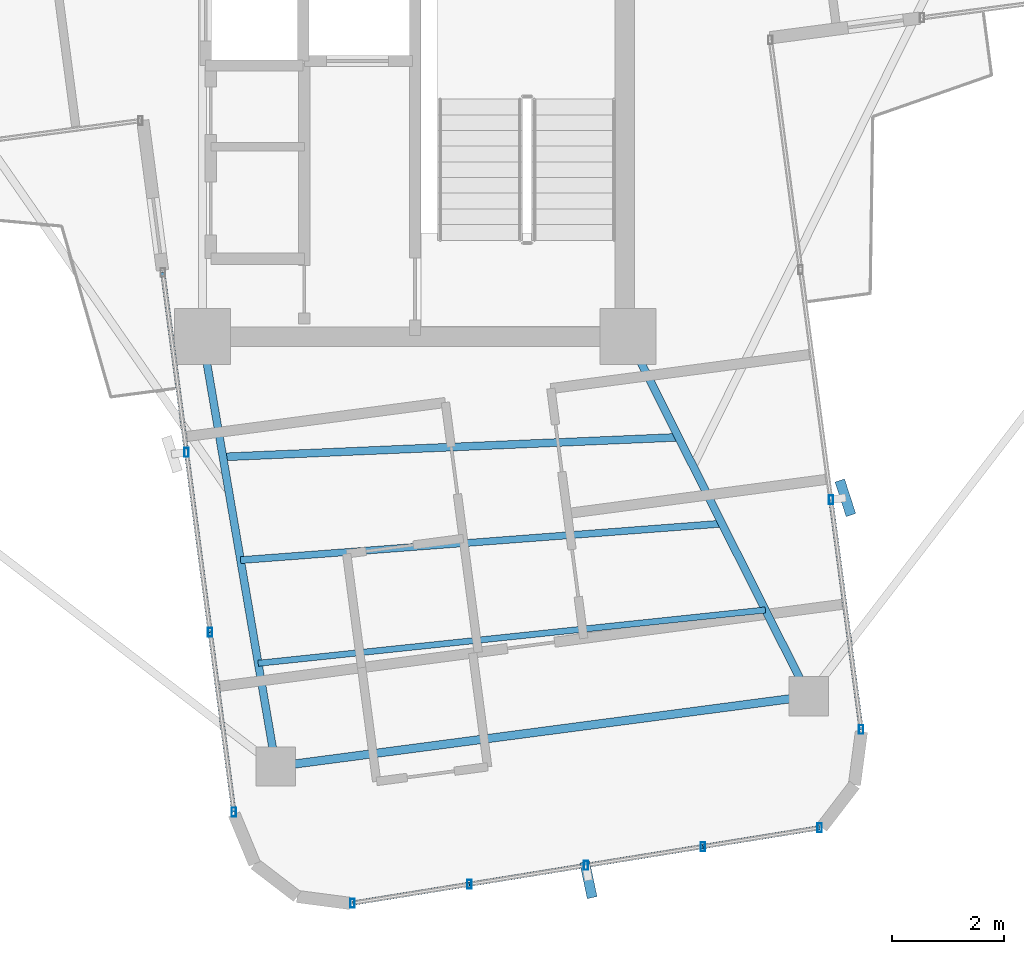
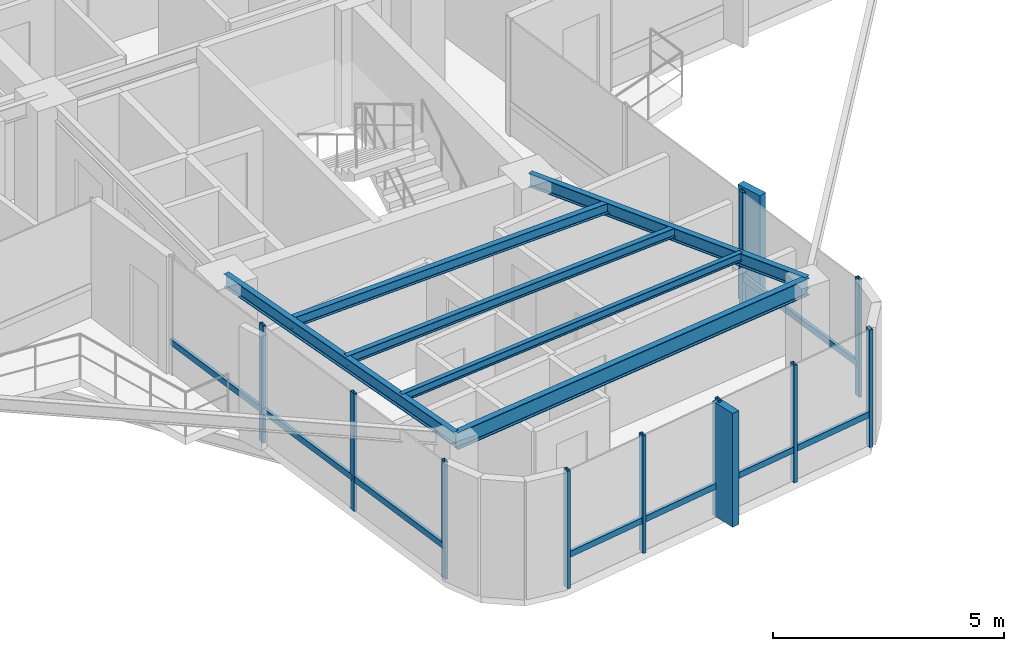
# One storey, part 4 of 21: 20 members, 6 beams, 3 elements without a shape of their own.
"""IFC4 building model written with IfcOpenShell, lengths in metres."""

from ifc_helpers import new_model, si_unit, direction, frame, origin, origin_2d, place, context, subcontext, project, spatial, rectangle, hollow_rectangle, i_section, extrude, source, transform, mapped, material, material_profile, profile_set, type_object, element, aggregate, save


model = new_model("IFC4")

# Units and contexts
model_context = context("Model", 3, precision=1e-05, world=origin(), true_north=direction((0.0, 1.0)))
body_context = subcontext(model_context, "Body", "Model", "MODEL_VIEW")
ifc_project = project(units=[si_unit("LENGTHUNIT", "METRE"), si_unit("AREAUNIT", "SQUARE_METRE"), si_unit("VOLUMEUNIT", "CUBIC_METRE"), si_unit("PLANEANGLEUNIT", "RADIAN"), si_unit("MASSUNIT", "GRAM", prefix="KILO")], contexts=[model_context])

# Site, building, storey
site_placement = place(None, origin())
site = spatial("IfcSite", under=ifc_project, at=site_placement, CompositionType="ELEMENT")
building_placement = place(site_placement, origin())
building = spatial("IfcBuilding", under=site, at=building_placement, Name="Sahyath Konkavel Grand Hotel", CompositionType="ELEMENT")
storey_placement = place(building_placement, frame((0.0, 0.0, 213.199951171875)))
storey = spatial("IfcBuildingStorey", under=building, at=storey_placement, Name="L59", CompositionType="ELEMENT", Elevation=213.199951171875)

# Beams
ifc_material_1 = material(Name="Steel E350", Category="steel")
ifc_material_profile_1 = material_profile(ifc_material_1, i_section(OverallWidth=0.139892578125, OverallDepth=0.35009765625, WebThickness=0.008056640625, FlangeThickness=0.01416015625, FilletRadius=0.013916015625, at=origin_2d()), Name="ISMB 350")
ifc_profile_set_1 = profile_set([ifc_material_profile_1], Name="Steel E350")
beam_type_1 = type_object("IfcBeamType", Name="BM-ISMB350", PredefinedType="BEAM", material=ifc_profile_set_1)
shared_shape_1 = source(origin(), body_context, "Body", "SweptSolid", [
    extrude(i_section(OverallWidth=0.139892578125, OverallDepth=0.35009765625, WebThickness=0.008056640625, FlangeThickness=0.01416015625, FilletRadius=0.013916015625, at=origin_2d()), origin(), (0.0, 0.0, 1.0), 7.7890625),
])
beam_1_placement = place(storey_placement, frame((-3.800048828125, -10.199951171875, 2.93505859375), z_axis=(0.168473997649, -0.985706098244, 0.0), x_axis=(0.985706098244, 0.168473997649, 0.0)))
element("IfcBeam", 1, at=beam_1_placement, inside=storey, type_object=beam_type_1, Name="L59 Cruciform Radial Girder SA", PredefinedType="BEAM", context=body_context, shape_type="MappedRepresentation", body=[
    mapped(shared_shape_1, transform((0.0, 0.0, 0.0), scale=1.0)),
])
shared_shape_2 = source(origin(), body_context, "Body", "SweptSolid", [
    extrude(i_section(OverallWidth=0.139892578125, OverallDepth=0.35009765625, WebThickness=0.008056640625, FlangeThickness=0.01416015625, FilletRadius=0.013916015625, at=origin_2d()), origin(), (0.0, 0.0, 1.0), 7.19091796875),
])
beam_2_placement = place(storey_placement, frame((3.800048828125, -10.199951171875, 2.93505859375), z_axis=(0.4491817134, -0.893440422383, 0.0), x_axis=(0.893440422383, 0.4491817134, 0.0)))
element("IfcBeam", 2, at=beam_2_placement, inside=storey, type_object=beam_type_1, Name="L59 Cruciform Radial Girder SB", PredefinedType="BEAM", context=body_context, shape_type="MappedRepresentation", body=[
    mapped(shared_shape_2, transform((0.0, 0.0, 0.0), scale=1.0)),
])
ifc_material_profile_2 = material_profile(ifc_material_1, i_section(OverallWidth=0.14990234375, OverallDepth=0.449951171875, WebThickness=0.009521484375, FlangeThickness=0.017333984375, FilletRadius=0.014892578125, at=origin_2d()), Name="ISMB 450")
ifc_profile_set_2 = profile_set([ifc_material_profile_2], Name="Steel E350")
beam_type_2 = type_object("IfcBeamType", Name="BM-ISMB450", PredefinedType="BEAM", material=ifc_profile_set_2)
shared_shape_3 = source(origin(), body_context, "Body", "SweptSolid", [
    extrude(i_section(OverallWidth=0.14990234375, OverallDepth=0.449951171875, WebThickness=0.009521484375, FlangeThickness=0.017333984375, FilletRadius=0.014892578125, at=origin_2d()), origin(), (0.0, 0.0, 1.0), 9.599853515625),
])
beam_3_placement = place(storey_placement, frame((-2.48779296875, -17.877685546875, 2.885009765625), z_axis=(0.991443125639, 0.130539375757, 0.0), x_axis=(-0.130539375757, 0.991443125639, 0.0)))
element("IfcBeam", 3, at=beam_3_placement, inside=storey, type_object=beam_type_2, Name="L59 Wing Tip Edge Beam S", PredefinedType="BEAM", context=body_context, shape_type="MappedRepresentation", body=[
    mapped(shared_shape_3, transform((0.0, 0.0, 0.0), scale=1.0)),
])
ifc_material_profile_3 = material_profile(ifc_material_1, i_section(OverallWidth=0.139892578125, OverallDepth=0.27490234375, WebThickness=0.00634765625, FlangeThickness=0.0087890625, FilletRadius=0.012939453125, at=origin_2d()), Name="ISLB 275")
ifc_profile_set_3 = profile_set([ifc_material_profile_3], Name="Steel E350")
beam_type_3 = type_object("IfcBeamType", Name="BM-ISLB275", PredefinedType="BEAM", material=ifc_profile_set_3)
shared_shape_4 = source(origin(), body_context, "Body", "SweptSolid", [
    extrude(i_section(OverallWidth=0.139892578125, OverallDepth=0.27490234375, WebThickness=0.00634765625, FlangeThickness=0.0087890625, FilletRadius=0.012939453125, at=origin_2d()), origin(), (0.0, 0.0, 1.0), 8.14453125),
])
beam_4_placement = place(storey_placement, frame((-3.4326171875, -12.349853515625, 2.97265625), z_axis=(0.999070525707, 0.043105506195, 0.0), x_axis=(-0.043105506195, 0.999070525707, 0.0)))
element("IfcBeam", 4, at=beam_4_placement, inside=storey, type_object=beam_type_3, Name="L59 Secondary Floor Beam S-1", PredefinedType="BEAM", context=body_context, shape_type="MappedRepresentation", body=[
    mapped(shared_shape_4, transform((0.0, 0.0, 0.0), scale=1.0)),
])
ifc_material_profile_4 = material_profile(ifc_material_1, i_section(OverallWidth=0.125, OverallDepth=0.25, WebThickness=0.0068359375, FlangeThickness=0.012451171875, FilletRadius=0.012939453125, at=origin_2d()), Name="ISMB 250")
ifc_profile_set_4 = profile_set([ifc_material_profile_4], Name="Steel E350")
beam_type_4 = type_object("IfcBeamType", Name="BM-ISMB250", PredefinedType="BEAM", material=ifc_profile_set_4)
shared_shape_5 = source(origin(), body_context, "Body", "SweptSolid", [
    extrude(i_section(OverallWidth=0.125, OverallDepth=0.25, WebThickness=0.0068359375, FlangeThickness=0.012451171875, FilletRadius=0.012939453125, at=origin_2d()), origin(), (0.0, 0.0, 1.0), 8.6220703125),
])
beam_5_placement = place(storey_placement, frame((-3.11767578125, -14.1923828125, 2.985107421875), z_axis=(0.997140134449, 0.075574812405, 0.0), x_axis=(-0.075574812405, 0.997140134449, 0.0)))
element("IfcBeam", 5, at=beam_5_placement, inside=storey, type_object=beam_type_4, Name="L59 Secondary Floor Beam S-2", PredefinedType="BEAM", context=body_context, shape_type="MappedRepresentation", body=[
    mapped(shared_shape_5, transform((0.0, 0.0, 0.0), scale=1.0)),
])
ifc_material_profile_5 = material_profile(ifc_material_1, i_section(OverallWidth=0.110107421875, OverallDepth=0.22509765625, WebThickness=0.006591796875, FlangeThickness=0.01171875, FilletRadius=0.011962890625, at=origin_2d()), Name="ISMB 225")
ifc_profile_set_5 = profile_set([ifc_material_profile_5], Name="Steel E350")
beam_type_5 = type_object("IfcBeamType", Name="BM-ISMB225", PredefinedType="BEAM", material=ifc_profile_set_5)
shared_shape_6 = source(origin(), body_context, "Body", "SweptSolid", [
    extrude(i_section(OverallWidth=0.110107421875, OverallDepth=0.22509765625, WebThickness=0.006591796875, FlangeThickness=0.01171875, FilletRadius=0.011962890625, at=origin_2d()), origin(), (0.0, 0.0, 1.0), 9.107666015625),
])
beam_6_placement = place(storey_placement, frame((-2.802734375, -16.03515625, 2.99755859375), z_axis=(0.994517344132, 0.10457175632, 0.0), x_axis=(-0.10457175632, 0.994517344132, 0.0)))
element("IfcBeam", 6, at=beam_6_placement, inside=storey, type_object=beam_type_5, Name="L59 Secondary Floor Beam S-3", PredefinedType="BEAM", context=body_context, shape_type="MappedRepresentation", body=[
    mapped(shared_shape_6, transform((0.0, 0.0, 0.0), scale=1.0)),
])

# Curtain wall, member
ifc_material_2 = material(Name="Anodised Bronze Aluminium & Low-E Glazing", Category="aluminium")
curtain_wall_type = type_object("IfcCurtainWallType", Name="CW-ZONE4", PredefinedType="NOTDEFINED", material=ifc_material_2)
curtain_wall_1_placement = place(storey_placement, origin())
curtain_wall_1 = element("IfcCurtainWall", 7, at=curtain_wall_1_placement, inside=storey, type_object=curtain_wall_type, Name="L59 Unitised Curtain Wall F28", PredefinedType="NOTDEFINED")
ifc_material_3 = material(Name="Warm Buff Sandstone Cladding on Concrete C50/60", Category="masonry")
ifc_material_profile_6 = material_profile(ifc_material_3, rectangle(XDim=0.179931640625, YDim=0.64990234375, at=origin_2d()), Name="FIN 180x650")
ifc_profile_set_6 = profile_set([ifc_material_profile_6], Name="Warm Buff Sandstone Cladding on Concrete C50/60")
member_type_1 = type_object("IfcMemberType", Name="FIN-SANDSTONE-650", PredefinedType="MULLION", material=ifc_profile_set_6)
shared_shape_7 = source(origin(), body_context, "Body", "SweptSolid", [
    extrude(rectangle(XDim=0.179931640625, YDim=0.64990234375, at=origin_2d()), origin(), (0.0, 0.0, 1.0), 3.010009765625),
])
member_1_placement = place(storey_placement, frame((3.09423828125, -19.90234375, 0.050048828125), z_axis=(0.0, 0.0, 1.0), x_axis=(0.978508985102, 0.206204185397, 0.0)))
member_1 = element("IfcMember", 8, at=member_1_placement, type_object=member_type_1, Name="L59 Sandstone Vertical Solar Fin FIN F28-2", PredefinedType="MULLION", context=body_context, shape_type="MappedRepresentation", body=[
    mapped(shared_shape_7, transform((0.0, 0.0, 0.0), scale=1.0)),
])

curtain_wall_2_placement = place(storey_placement, origin())
curtain_wall_2 = element("IfcCurtainWall", 9, at=curtain_wall_2_placement, inside=storey, type_object=curtain_wall_type, Name="L59 Unitised Curtain Wall F31", PredefinedType="NOTDEFINED")
member_2_placement = place(storey_placement, frame((7.682861328125, -13.0791015625, 0.050048828125), z_axis=(0.0, 0.0, 1.0), x_axis=(0.951272019071, 0.30835295642, 0.0)))
member_2 = element("IfcMember", 10, at=member_2_placement, type_object=member_type_1, Name="L59 Sandstone Vertical Solar Fin FIN F31-1", PredefinedType="MULLION", context=body_context, shape_type="MappedRepresentation", body=[
    mapped(shared_shape_7, transform((0.0, 0.0, 0.0), scale=1.0)),
])

# Curtain wall, members
curtain_wall_3_placement = place(storey_placement, origin())
curtain_wall_3 = element("IfcCurtainWall", 11, at=curtain_wall_3_placement, inside=storey, type_object=curtain_wall_type, Name="L59 Unitised Curtain Wall F24", PredefinedType="NOTDEFINED")
ifc_material_4 = material(Name="Anodised Bronze Aluminium", Category="aluminium")
ifc_material_profile_7 = material_profile(ifc_material_4, hollow_rectangle(XDim=0.080078125, YDim=0.159912109375, WallThickness=0.006103515625, at=origin_2d()), Name="RHS 160x80x6")
ifc_profile_set_7 = profile_set([ifc_material_profile_7], Name="Anodised Bronze Aluminium")
member_type_2 = type_object("IfcMemberType", Name="CW-MUL-160", PredefinedType="MULLION", material=ifc_profile_set_7)
shared_shape_8 = source(origin(), body_context, "Body", "SweptSolid", [
    extrude(hollow_rectangle(XDim=0.080078125, YDim=0.159912109375, WallThickness=0.006103515625, at=origin_2d()), origin(), (0.0, 0.0, 1.0), 3.110107421875),
])
member_3_placement = place(storey_placement, frame((-4.083740234375, -12.26806640625, 0.0), z_axis=(0.0, 0.0, 1.0), x_axis=(1.0, 0.0, 0.0)))
member_3 = element("IfcMember", 12, at=member_3_placement, type_object=member_type_2, Name="L59 Curtain Wall Mullion F24-1", PredefinedType="MULLION", context=body_context, shape_type="MappedRepresentation", body=[
    mapped(shared_shape_8, transform((0.0, 0.0, 0.0), scale=1.0)),
])
member_4_placement = place(storey_placement, frame((-3.66064453125, -15.480224609375, 0.0), z_axis=(0.0, 0.0, 1.0), x_axis=(1.0, 0.0, 0.0)))
member_4 = element("IfcMember", 13, at=member_4_placement, type_object=member_type_2, Name="L59 Curtain Wall Mullion F24-2", PredefinedType="MULLION", context=body_context, shape_type="MappedRepresentation", body=[
    mapped(shared_shape_8, transform((0.0, 0.0, 0.0), scale=1.0)),
])
member_5_placement = place(storey_placement, frame((-3.23779296875, -18.6923828125, 0.0), z_axis=(0.0, 0.0, 1.0), x_axis=(1.0, 0.0, 0.0)))
member_5 = element("IfcMember", 14, at=member_5_placement, type_object=member_type_2, Name="L59 Curtain Wall Mullion F24-3", PredefinedType="MULLION", context=body_context, shape_type="MappedRepresentation", body=[
    mapped(shared_shape_8, transform((0.0, 0.0, 0.0), scale=1.0)),
])

# Member
member_6_placement = place(storey_placement, frame((-1.117431640625, -20.318603515625, 0.0), z_axis=(0.0, 0.0, 1.0), x_axis=(1.0, 0.0, 0.0)))
member_6 = element("IfcMember", 15, at=member_6_placement, type_object=member_type_2, Name="L59 Curtain Wall Mullion F28-0", PredefinedType="MULLION", context=body_context, shape_type="MappedRepresentation", body=[
    mapped(shared_shape_8, transform((0.0, 0.0, 0.0), scale=1.0)),
])

member_7_placement = place(storey_placement, frame((0.9677734375, -19.982177734375, 0.0), z_axis=(0.0, 0.0, 1.0), x_axis=(1.0, 0.0, 0.0)))
member_7 = element("IfcMember", 16, at=member_7_placement, type_object=member_type_2, Name="L59 Curtain Wall Mullion F28-1", PredefinedType="MULLION", context=body_context, shape_type="MappedRepresentation", body=[
    mapped(shared_shape_8, transform((0.0, 0.0, 0.0), scale=1.0)),
])

member_8_placement = place(storey_placement, frame((3.052734375, -19.6455078125, 0.0), z_axis=(0.0, 0.0, 1.0), x_axis=(1.0, 0.0, 0.0)))
member_8 = element("IfcMember", 17, at=member_8_placement, type_object=member_type_2, Name="L59 Curtain Wall Mullion F28-2", PredefinedType="MULLION", context=body_context, shape_type="MappedRepresentation", body=[
    mapped(shared_shape_8, transform((0.0, 0.0, 0.0), scale=1.0)),
])

member_9_placement = place(storey_placement, frame((5.137939453125, -19.30908203125, 0.0), z_axis=(0.0, 0.0, 1.0), x_axis=(1.0, 0.0, 0.0)))
member_9 = element("IfcMember", 18, at=member_9_placement, type_object=member_type_2, Name="L59 Curtain Wall Mullion F28-3", PredefinedType="MULLION", context=body_context, shape_type="MappedRepresentation", body=[
    mapped(shared_shape_8, transform((0.0, 0.0, 0.0), scale=1.0)),
])

member_10_placement = place(storey_placement, frame((7.22314453125, -18.972900390625, 0.0), z_axis=(0.0, 0.0, 1.0), x_axis=(1.0, 0.0, 0.0)))
member_10 = element("IfcMember", 19, at=member_10_placement, type_object=member_type_2, Name="L59 Curtain Wall Mullion F28-4", PredefinedType="MULLION", context=body_context, shape_type="MappedRepresentation", body=[
    mapped(shared_shape_8, transform((0.0, 0.0, 0.0), scale=1.0)),
])

member_11_placement = place(storey_placement, frame((7.965576171875, -17.217529296875, 0.0), z_axis=(0.0, 0.0, 1.0), x_axis=(1.0, 0.0, 0.0)))
member_11 = element("IfcMember", 20, at=member_11_placement, type_object=member_type_2, Name="L59 Curtain Wall Mullion F31-0", PredefinedType="MULLION", context=body_context, shape_type="MappedRepresentation", body=[
    mapped(shared_shape_8, transform((0.0, 0.0, 0.0), scale=1.0)),
])

member_12_placement = place(storey_placement, frame((7.425048828125, -13.113037109375, 0.0), z_axis=(0.0, 0.0, 1.0), x_axis=(1.0, 0.0, 0.0)))
member_12 = element("IfcMember", 21, at=member_12_placement, type_object=member_type_2, Name="L59 Curtain Wall Mullion F31-1", PredefinedType="MULLION", context=body_context, shape_type="MappedRepresentation", body=[
    mapped(shared_shape_8, transform((0.0, 0.0, 0.0), scale=1.0)),
])

ifc_material_profile_8 = material_profile(ifc_material_4, hollow_rectangle(XDim=0.080078125, YDim=0.159912109375, WallThickness=0.006103515625, at=origin_2d()), Name="RHS 160x80x6")
ifc_profile_set_8 = profile_set([ifc_material_profile_8], Name="Anodised Bronze Aluminium")
member_type_3 = type_object("IfcMemberType", Name="CW-TRN-160", PredefinedType="USERDEFINED", material=ifc_profile_set_8)
shared_shape_9 = source(origin(), body_context, "Body", "SweptSolid", [
    extrude(hollow_rectangle(XDim=0.080078125, YDim=0.159912109375, WallThickness=0.006103515625, at=origin_2d()), origin(), (0.0, 0.0, 1.0), 3.240234375),
])
member_13_placement = place(storey_placement, frame((-4.506591796875, -9.0556640625, 0.85009765625), z_axis=(0.130505189885, -0.991447626157, 0.0), x_axis=(0.991447626157, 0.130505189885, 0.0)))
member_13 = element("IfcMember", 22, at=member_13_placement, type_object=member_type_3, Name="L59 Curtain Wall Transom F24-0-spandrel", ObjectType="TRANSOM", PredefinedType="USERDEFINED", context=body_context, shape_type="MappedRepresentation", body=[
    mapped(shared_shape_9, transform((0.0, 0.0, 0.0), scale=1.0)),
])

shared_shape_10 = source(origin(), body_context, "Body", "SweptSolid", [
    extrude(hollow_rectangle(XDim=0.080078125, YDim=0.159912109375, WallThickness=0.006103515625, at=origin_2d()), origin(), (0.0, 0.0, 1.0), 3.239990234375),
])
member_14_placement = place(storey_placement, frame((-4.083740234375, -12.26806640625, 0.85009765625), z_axis=(0.130589010341, -0.991436589187, 0.0), x_axis=(0.991436589187, 0.130589010341, 0.0)))
member_14 = element("IfcMember", 23, at=member_14_placement, type_object=member_type_3, Name="L59 Curtain Wall Transom F24-1-spandrel", ObjectType="TRANSOM", PredefinedType="USERDEFINED", context=body_context, shape_type="MappedRepresentation", body=[
    mapped(shared_shape_10, transform((0.0, 0.0, 0.0), scale=1.0)),
])

member_15_placement = place(storey_placement, frame((-3.66064453125, -15.480224609375, 0.85009765625), z_axis=(0.130514939997, -0.991446342692, 0.0), x_axis=(0.991446342692, 0.130514939997, 0.0)))
member_15 = element("IfcMember", 24, at=member_15_placement, type_object=member_type_3, Name="L59 Curtain Wall Transom F24-2-spandrel", ObjectType="TRANSOM", PredefinedType="USERDEFINED", context=body_context, shape_type="MappedRepresentation", body=[
    mapped(shared_shape_10, transform((0.0, 0.0, 0.0), scale=1.0)),
])

aggregate(curtain_wall_3, [member_3, member_4, member_5, member_13, member_14, member_15])

shared_shape_11 = source(origin(), body_context, "Body", "SweptSolid", [
    extrude(hollow_rectangle(XDim=0.080078125, YDim=0.159912109375, WallThickness=0.006103515625, at=origin_2d()), origin(), (0.0, 0.0, 1.0), 2.112060546875),
])
member_16_placement = place(storey_placement, frame((-1.117431640625, -20.318603515625, 0.85009765625), z_axis=(0.987233499712, 0.159279681841, 0.0), x_axis=(-0.159279681841, 0.987233499712, 0.0)))
member_16 = element("IfcMember", 25, at=member_16_placement, type_object=member_type_3, Name="L59 Curtain Wall Transom F28-0-spandrel", ObjectType="TRANSOM", PredefinedType="USERDEFINED", context=body_context, shape_type="MappedRepresentation", body=[
    mapped(shared_shape_11, transform((0.0, 0.0, 0.0), scale=1.0)),
])

member_17_placement = place(storey_placement, frame((0.9677734375, -19.982177734375, 0.85009765625), z_axis=(0.98721238085, 0.159410523793, 0.0), x_axis=(-0.159410523793, 0.98721238085, 0.0)))
member_17 = element("IfcMember", 26, at=member_17_placement, type_object=member_type_3, Name="L59 Curtain Wall Transom F28-1-spandrel", ObjectType="TRANSOM", PredefinedType="USERDEFINED", context=body_context, shape_type="MappedRepresentation", body=[
    mapped(shared_shape_11, transform((0.0, 0.0, 0.0), scale=1.0)),
])

member_18_placement = place(storey_placement, frame((3.052734375, -19.6455078125, 0.85009765625), z_axis=(0.987233499712, 0.159279681841, 0.0), x_axis=(-0.159279681841, 0.987233499712, 0.0)))
member_18 = element("IfcMember", 27, at=member_18_placement, type_object=member_type_3, Name="L59 Curtain Wall Transom F28-2-spandrel", ObjectType="TRANSOM", PredefinedType="USERDEFINED", context=body_context, shape_type="MappedRepresentation", body=[
    mapped(shared_shape_11, transform((0.0, 0.0, 0.0), scale=1.0)),
])

member_19_placement = place(storey_placement, frame((5.137939453125, -19.30908203125, 0.85009765625), z_axis=(0.98725166933, 0.159167023612, 0.0), x_axis=(-0.159167023612, 0.98725166933, 0.0)))
member_19 = element("IfcMember", 28, at=member_19_placement, type_object=member_type_3, Name="L59 Curtain Wall Transom F28-3-spandrel", ObjectType="TRANSOM", PredefinedType="USERDEFINED", context=body_context, shape_type="MappedRepresentation", body=[
    mapped(shared_shape_11, transform((0.0, 0.0, 0.0), scale=1.0)),
])

aggregate(curtain_wall_1, [member_6, member_7, member_8, member_1, member_9, member_10, member_16, member_17, member_18, member_19])

shared_shape_12 = source(origin(), body_context, "Body", "SweptSolid", [
    extrude(hollow_rectangle(XDim=0.080078125, YDim=0.159912109375, WallThickness=0.006103515625, at=origin_2d()), origin(), (0.0, 0.0, 1.0), 4.139892578125),
])
member_20_placement = place(storey_placement, frame((7.965576171875, -17.217529296875, 0.85009765625), z_axis=(-0.130564346904, 0.991439837467, 0.0), x_axis=(-0.991439837467, -0.130564346904, 0.0)))
member_20 = element("IfcMember", 29, at=member_20_placement, type_object=member_type_3, Name="L59 Curtain Wall Transom F31-0-spandrel", ObjectType="TRANSOM", PredefinedType="USERDEFINED", context=body_context, shape_type="MappedRepresentation", body=[
    mapped(shared_shape_12, transform((0.0, 0.0, 0.0), scale=1.0)),
])

aggregate(curtain_wall_2, [member_11, member_12, member_2, member_20])

save(model, "model.ifc")
